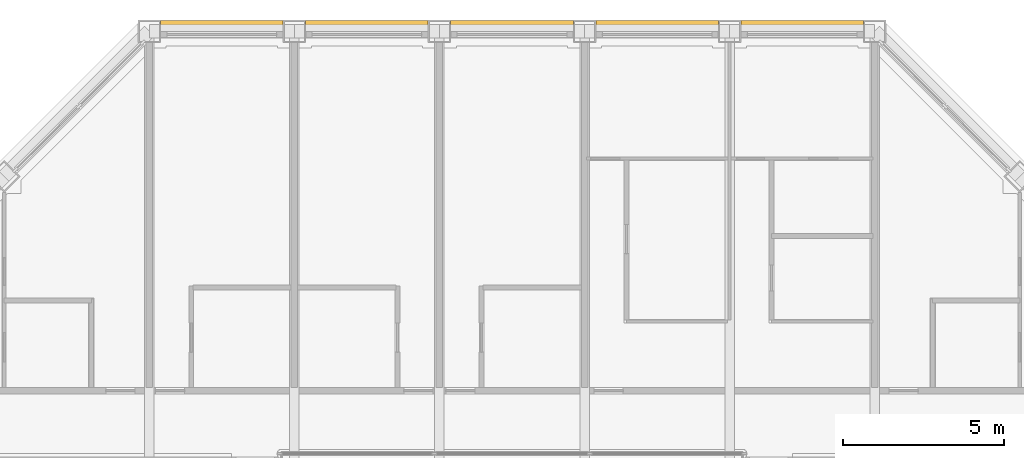
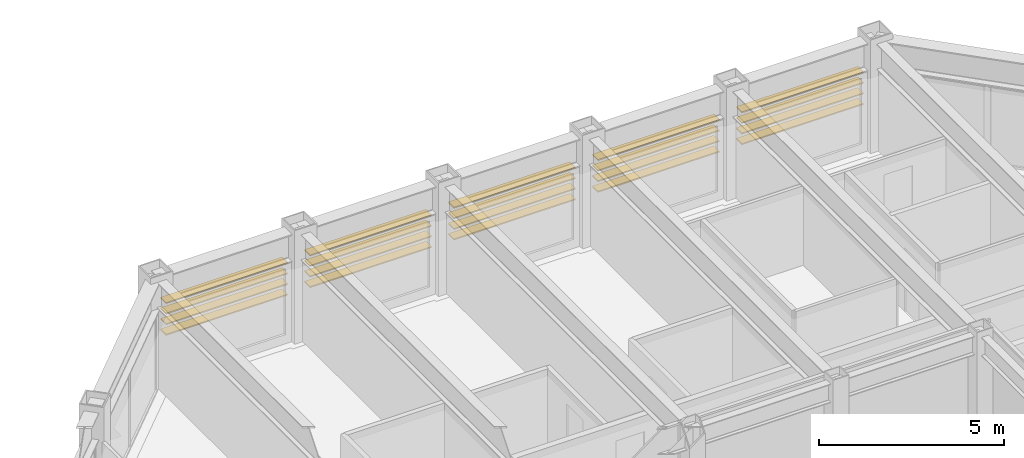
# One storey, part 18 of 18: 1 shading device.
"""IFC4 building model written with IfcOpenShell, lengths in metres."""

from ifc_helpers import new_model, si_unit, direction, frame, origin, origin_2d, place, context, subcontext, project, spatial, rectangle, extrude, material, type_object, element, save


model = new_model("IFC4")

# Units and contexts
model_context = context("Model", 3, precision=1e-05, world=origin(), true_north=direction((0.0, 1.0)))
body_context = subcontext(model_context, "Body", "Model", "MODEL_VIEW")
ifc_project = project(units=[si_unit("LENGTHUNIT", "METRE"), si_unit("AREAUNIT", "SQUARE_METRE"), si_unit("VOLUMEUNIT", "CUBIC_METRE"), si_unit("PLANEANGLEUNIT", "RADIAN"), si_unit("MASSUNIT", "GRAM", prefix="KILO")], contexts=[model_context])

# Site, building, storey
site_placement = place(None, origin())
site = spatial("IfcSite", under=ifc_project, at=site_placement, CompositionType="ELEMENT")
building_placement = place(site_placement, origin())
building = spatial("IfcBuilding", under=site, at=building_placement, Name="Msasa Ring Tower", CompositionType="ELEMENT")
storey_placement = place(building_placement, frame((0.0, 0.0, 230.800048828125)))
storey = spatial("IfcBuildingStorey", under=building, at=storey_placement, Name="L60", CompositionType="ELEMENT", Elevation=230.800048828125)

# Shading device
ifc_material = material(Name="Extruded terracotta blades", Category="masonry")
shading_device_type = type_object("IfcShadingDeviceType", Name="SS1 TERRACOTTA SUNSHADE 4 BLADES 300x40 AT 350", PredefinedType="USERDEFINED", material=ifc_material)
shading_device_placement = place(storey_placement, origin())
element("IfcShadingDevice", 1, at=shading_device_placement, inside=storey, type_object=shading_device_type, Name="Terracotta sunshade N L60", ObjectType="SUNSHADE", PredefinedType="USERDEFINED", context=body_context, shape_type="SweptSolid", body=[
    extrude(rectangle(XDim=0.0400390625, YDim=0.300048828125, at=origin_2d()), frame((-10.89990234375, 20.429931640625, 2.458984375), z_axis=(1.0, 0.0, 0.0), x_axis=(0.0, 0.0, 1.0)), (0.0, 0.0, 1.0), 3.800048828125),
    extrude(rectangle(XDim=0.0400390625, YDim=0.300048828125, at=origin_2d()), frame((-10.89990234375, 20.429931640625, 2.10888671875), z_axis=(1.0, 0.0, 0.0), x_axis=(0.0, 0.0, 1.0)), (0.0, 0.0, 1.0), 3.800048828125),
    extrude(rectangle(XDim=0.0400390625, YDim=0.300048828125, at=origin_2d()), frame((-10.89990234375, 20.429931640625, 1.759033203125), z_axis=(1.0, 0.0, 0.0), x_axis=(0.0, 0.0, 1.0)), (0.0, 0.0, 1.0), 3.800048828125),
    extrude(rectangle(XDim=0.0400390625, YDim=0.300048828125, at=origin_2d()), frame((-10.89990234375, 20.429931640625, 1.408935546875), z_axis=(1.0, 0.0, 0.0), x_axis=(0.0, 0.0, 1.0)), (0.0, 0.0, 1.0), 3.800048828125),
    extrude(rectangle(XDim=0.0400390625, YDim=0.300048828125, at=origin_2d()), frame((-6.39990234375, 20.429931640625, 2.458984375), z_axis=(1.0, 0.0, 0.0), x_axis=(0.0, 0.0, 1.0)), (0.0, 0.0, 1.0), 3.800048828125),
    extrude(rectangle(XDim=0.0400390625, YDim=0.300048828125, at=origin_2d()), frame((-6.39990234375, 20.429931640625, 2.10888671875), z_axis=(1.0, 0.0, 0.0), x_axis=(0.0, 0.0, 1.0)), (0.0, 0.0, 1.0), 3.800048828125),
    extrude(rectangle(XDim=0.0400390625, YDim=0.300048828125, at=origin_2d()), frame((-6.39990234375, 20.429931640625, 1.759033203125), z_axis=(1.0, 0.0, 0.0), x_axis=(0.0, 0.0, 1.0)), (0.0, 0.0, 1.0), 3.800048828125),
    extrude(rectangle(XDim=0.0400390625, YDim=0.300048828125, at=origin_2d()), frame((-6.39990234375, 20.429931640625, 1.408935546875), z_axis=(1.0, 0.0, 0.0), x_axis=(0.0, 0.0, 1.0)), (0.0, 0.0, 1.0), 3.800048828125),
    extrude(rectangle(XDim=0.0400390625, YDim=0.300048828125, at=origin_2d()), frame((-1.89990234375, 20.429931640625, 2.458984375), z_axis=(1.0, 0.0, 0.0), x_axis=(0.0, 0.0, 1.0)), (0.0, 0.0, 1.0), 3.800048828125),
    extrude(rectangle(XDim=0.0400390625, YDim=0.300048828125, at=origin_2d()), frame((-1.89990234375, 20.429931640625, 2.10888671875), z_axis=(1.0, 0.0, 0.0), x_axis=(0.0, 0.0, 1.0)), (0.0, 0.0, 1.0), 3.800048828125),
    extrude(rectangle(XDim=0.0400390625, YDim=0.300048828125, at=origin_2d()), frame((-1.89990234375, 20.429931640625, 1.759033203125), z_axis=(1.0, 0.0, 0.0), x_axis=(0.0, 0.0, 1.0)), (0.0, 0.0, 1.0), 3.800048828125),
    extrude(rectangle(XDim=0.0400390625, YDim=0.300048828125, at=origin_2d()), frame((-1.89990234375, 20.429931640625, 1.408935546875), z_axis=(1.0, 0.0, 0.0), x_axis=(0.0, 0.0, 1.0)), (0.0, 0.0, 1.0), 3.800048828125),
    extrude(rectangle(XDim=0.0400390625, YDim=0.300048828125, at=origin_2d()), frame((2.60009765625, 20.429931640625, 2.458984375), z_axis=(1.0, 0.0, 0.0), x_axis=(0.0, 0.0, 1.0)), (0.0, 0.0, 1.0), 3.800048828125),
    extrude(rectangle(XDim=0.0400390625, YDim=0.300048828125, at=origin_2d()), frame((2.60009765625, 20.429931640625, 2.10888671875), z_axis=(1.0, 0.0, 0.0), x_axis=(0.0, 0.0, 1.0)), (0.0, 0.0, 1.0), 3.800048828125),
    extrude(rectangle(XDim=0.0400390625, YDim=0.300048828125, at=origin_2d()), frame((2.60009765625, 20.429931640625, 1.759033203125), z_axis=(1.0, 0.0, 0.0), x_axis=(0.0, 0.0, 1.0)), (0.0, 0.0, 1.0), 3.800048828125),
    extrude(rectangle(XDim=0.0400390625, YDim=0.300048828125, at=origin_2d()), frame((2.60009765625, 20.429931640625, 1.408935546875), z_axis=(1.0, 0.0, 0.0), x_axis=(0.0, 0.0, 1.0)), (0.0, 0.0, 1.0), 3.800048828125),
    extrude(rectangle(XDim=0.0400390625, YDim=0.300048828125, at=origin_2d()), frame((7.10009765625, 20.429931640625, 2.458984375), z_axis=(1.0, 0.0, 0.0), x_axis=(0.0, 0.0, 1.0)), (0.0, 0.0, 1.0), 3.800048828125),
    extrude(rectangle(XDim=0.0400390625, YDim=0.300048828125, at=origin_2d()), frame((7.10009765625, 20.429931640625, 2.10888671875), z_axis=(1.0, 0.0, 0.0), x_axis=(0.0, 0.0, 1.0)), (0.0, 0.0, 1.0), 3.800048828125),
    extrude(rectangle(XDim=0.0400390625, YDim=0.300048828125, at=origin_2d()), frame((7.10009765625, 20.429931640625, 1.759033203125), z_axis=(1.0, 0.0, 0.0), x_axis=(0.0, 0.0, 1.0)), (0.0, 0.0, 1.0), 3.800048828125),
    extrude(rectangle(XDim=0.0400390625, YDim=0.300048828125, at=origin_2d()), frame((7.10009765625, 20.429931640625, 1.408935546875), z_axis=(1.0, 0.0, 0.0), x_axis=(0.0, 0.0, 1.0)), (0.0, 0.0, 1.0), 3.800048828125),
])

save(model, "model.ifc")
